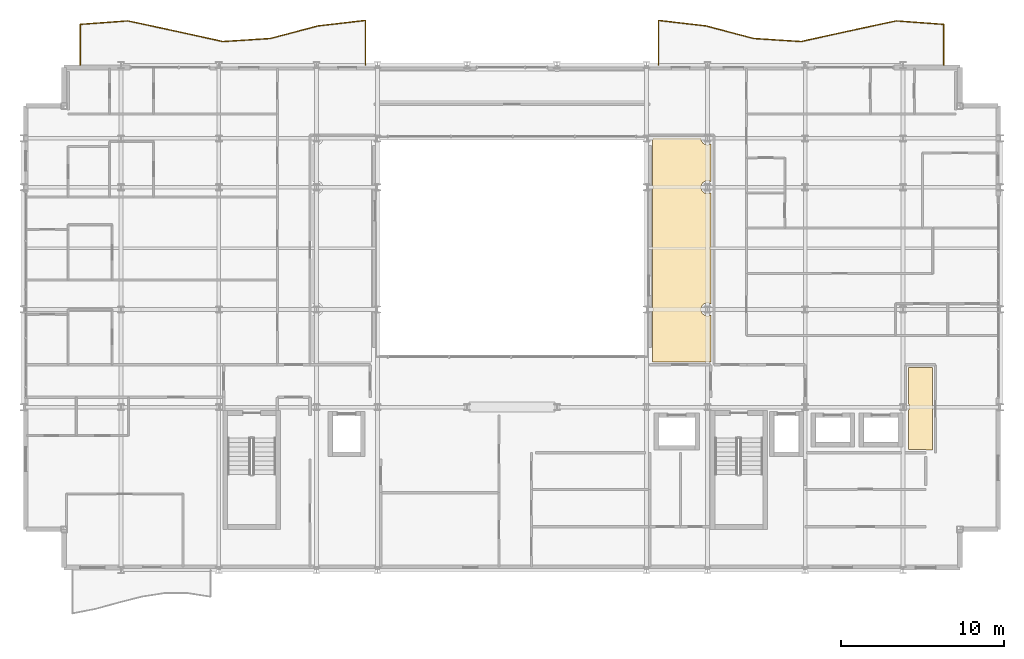
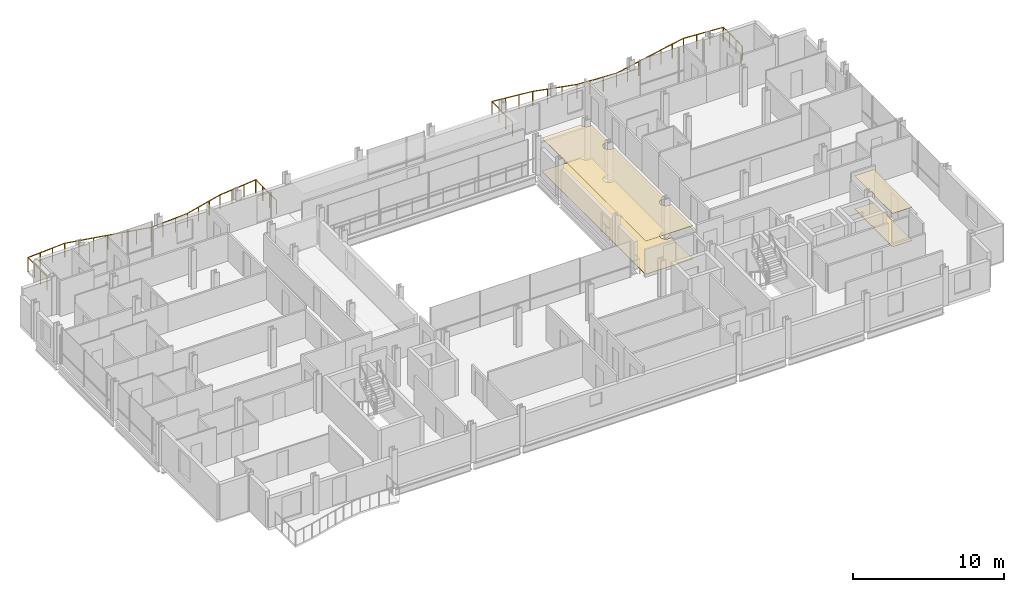
# One storey, part 41 of 41: 4 coverings, 2 railings.
"""IFC4 building model written with IfcOpenShell, lengths in metres."""

from ifc_helpers import new_model, si_unit, direction, frame, origin, origin_2d, place, context, subcontext, project, spatial, polyline, circle, outline, extrude, material, layer, layer_set, type_object, element, save


model = new_model("IFC4")

# Units and contexts
model_context = context("Model", 3, precision=1e-05, world=origin(), true_north=direction((0.0, 1.0)))
body_context = subcontext(model_context, "Body", "Model", "MODEL_VIEW")
ifc_project = project(units=[si_unit("LENGTHUNIT", "METRE"), si_unit("AREAUNIT", "SQUARE_METRE"), si_unit("VOLUMEUNIT", "CUBIC_METRE"), si_unit("PLANEANGLEUNIT", "RADIAN"), si_unit("MASSUNIT", "GRAM", prefix="KILO")], contexts=[model_context])

# Site, building, storey
site_placement = place(None, origin())
site = spatial("IfcSite", under=ifc_project, at=site_placement, CompositionType="ELEMENT")
building_placement = place(site_placement, origin())
building = spatial("IfcBuilding", under=site, at=building_placement, Name="Brevholm Reach", CompositionType="ELEMENT")
storey_placement = place(building_placement, frame((0.0, 0.0, 151.10009765625)))
storey = spatial("IfcBuildingStorey", under=building, at=storey_placement, Name="L45", CompositionType="ELEMENT", Elevation=151.10009765625)

# Coverings
ifc_material_1 = material(Name="Moisture-Resistant Skimmed Gypsum Plasterboard Ceiling", Category="gypsum")
ifc_layer_1 = layer(ifc_material_1, 0.030029296875)
ifc_layer_set_1 = layer_set([ifc_layer_1], Name="Moisture-Resistant Skimmed Gypsum Plasterboard Ceiling")
covering_type_1 = type_object("IfcCoveringType", Name="COV-CLG-GYP", PredefinedType="CEILING", material=ifc_layer_set_1)
covering_1_placement = place(storey_placement, frame((0.0, 0.0, 2.679931640625)))
element("IfcCovering", 1, at=covering_1_placement, inside=storey, type_object=covering_type_1, Name="L45 Suspended Ceiling L45-25", PredefinedType="CEILING", context=body_context, shape_type="SweptSolid", body=[
    extrude(outline(polyline([(54.330078125, 9.7626953125), (54.33056640625, 9.764892578125), (54.33251953125, 9.777587890625), (54.33251953125, 9.77783203125), (54.352783203125, 9.811279296875), (54.36962890625, 9.846923828125), (54.3828125, 9.8837890625), (54.392333984375, 9.922119140625), (54.398193359375, 9.960693359375), (54.39990234375, 10.0), (54.398193359375, 10.039306640625), (54.392333984375, 10.077880859375), (54.3828125, 10.1162109375), (54.36962890625, 10.153076171875), (54.352783203125, 10.188720703125), (54.333984375, 10.219970703125), (54.333984375, 12.419921875), (55.81591796875, 12.419921875), (55.81591796875, 7.3798828125), (55.437255859375, 7.3798828125), (55.43505859375, 7.380615234375), (55.41748046875, 7.383056640625), (55.39990234375, 7.384033203125), (54.330078125, 7.384033203125), (54.330078125, 9.7626953125)])), origin(), (0.0, 0.0, 1.0), 0.030029296875),
])
covering_2_placement = place(storey_placement, frame((0.0, 0.0, 2.679931640625)))
element("IfcCovering", 2, at=covering_2_placement, inside=storey, type_object=covering_type_1, Name="L45 Suspended Ceiling L45-54", PredefinedType="CEILING", context=body_context, shape_type="SweptSolid", body=[
    extrude(outline(polyline([(38.6298828125, 15.876220703125), (38.6328125, 15.8837890625), (38.642333984375, 15.922119140625), (38.648193359375, 15.960693359375), (38.64990234375, 16.0), (38.648193359375, 16.039306640625), (38.642333984375, 16.077880859375), (38.6328125, 16.1162109375), (38.6298828125, 16.123779296875), (38.6298828125, 23.376220703125), (38.6328125, 23.3837890625), (38.642333984375, 23.422119140625), (38.648193359375, 23.460693359375), (38.64990234375, 23.5), (38.648193359375, 23.539306640625), (38.642333984375, 23.577880859375), (38.6328125, 23.6162109375), (38.6298828125, 23.623779296875), (38.6298828125, 26.376220703125), (38.6328125, 26.3837890625), (38.642333984375, 26.422119140625), (38.648193359375, 26.460693359375), (38.64990234375, 26.5), (38.649169921875, 26.51611328125), (41.600830078125, 26.51611328125), (41.60009765625, 26.5), (41.601806640625, 26.460693359375), (41.607666015625, 26.422119140625), (41.6171875, 26.3837890625), (41.63037109375, 26.346923828125), (41.647216796875, 26.311279296875), (41.66748046875, 26.27783203125), (41.69091796875, 26.24609375), (41.71728515625, 26.21728515625), (41.74609375, 26.19091796875), (41.77783203125, 26.16748046875), (41.811279296875, 26.147216796875), (41.846923828125, 26.13037109375), (41.8837890625, 26.1171875), (41.922119140625, 26.107666015625), (41.960693359375, 26.101806640625), (42.0, 26.10009765625), (42.039306640625, 26.101806640625), (42.077880859375, 26.107666015625), (42.1162109375, 26.1171875), (42.153076171875, 26.13037109375), (42.188720703125, 26.147216796875), (42.216064453125, 26.163818359375), (42.216064453125, 23.836181640625), (42.188720703125, 23.852783203125), (42.153076171875, 23.86962890625), (42.1162109375, 23.8828125), (42.077880859375, 23.892333984375), (42.039306640625, 23.898193359375), (42.0, 23.89990234375), (41.960693359375, 23.898193359375), (41.922119140625, 23.892333984375), (41.8837890625, 23.8828125), (41.846923828125, 23.86962890625), (41.811279296875, 23.852783203125), (41.77783203125, 23.83251953125), (41.74609375, 23.80908203125), (41.71728515625, 23.78271484375), (41.69091796875, 23.75390625), (41.66748046875, 23.72216796875), (41.647216796875, 23.688720703125), (41.63037109375, 23.653076171875), (41.6171875, 23.6162109375), (41.607666015625, 23.577880859375), (41.601806640625, 23.539306640625), (41.60009765625, 23.5), (41.601806640625, 23.460693359375), (41.607666015625, 23.422119140625), (41.6171875, 23.3837890625), (41.63037109375, 23.346923828125), (41.647216796875, 23.311279296875), (41.66748046875, 23.27783203125), (41.69091796875, 23.24609375), (41.71728515625, 23.21728515625), (41.74609375, 23.19091796875), (41.77783203125, 23.16748046875), (41.811279296875, 23.147216796875), (41.846923828125, 23.13037109375), (41.8837890625, 23.1171875), (41.922119140625, 23.107666015625), (41.960693359375, 23.101806640625), (42.0, 23.10009765625), (42.039306640625, 23.101806640625), (42.077880859375, 23.107666015625), (42.1162109375, 23.1171875), (42.153076171875, 23.13037109375), (42.188720703125, 23.147216796875), (42.216064453125, 23.163818359375), (42.216064453125, 16.336181640625), (42.188720703125, 16.352783203125), (42.153076171875, 16.36962890625), (42.1162109375, 16.3828125), (42.077880859375, 16.392333984375), (42.039306640625, 16.398193359375), (42.0, 16.39990234375), (41.960693359375, 16.398193359375), (41.922119140625, 16.392333984375), (41.8837890625, 16.3828125), (41.846923828125, 16.36962890625), (41.811279296875, 16.352783203125), (41.77783203125, 16.33251953125), (41.74609375, 16.30908203125), (41.71728515625, 16.28271484375), (41.69091796875, 16.25390625), (41.66748046875, 16.22216796875), (41.647216796875, 16.188720703125), (41.63037109375, 16.153076171875), (41.6171875, 16.1162109375), (41.607666015625, 16.077880859375), (41.601806640625, 16.039306640625), (41.60009765625, 16.0), (41.601806640625, 15.960693359375), (41.607666015625, 15.922119140625), (41.6171875, 15.8837890625), (41.63037109375, 15.846923828125), (41.647216796875, 15.811279296875), (41.66748046875, 15.77783203125), (41.69091796875, 15.74609375), (41.71728515625, 15.71728515625), (41.74609375, 15.69091796875), (41.77783203125, 15.66748046875), (41.811279296875, 15.647216796875), (41.846923828125, 15.63037109375), (41.8837890625, 15.6171875), (41.922119140625, 15.607666015625), (41.960693359375, 15.601806640625), (42.0, 15.60009765625), (42.039306640625, 15.601806640625), (42.077880859375, 15.607666015625), (42.1162109375, 15.6171875), (42.153076171875, 15.63037109375), (42.188720703125, 15.647216796875), (42.216064453125, 15.663818359375), (42.216064453125, 12.783935546875), (38.6298828125, 12.783935546875), (38.6298828125, 15.876220703125)])), origin(), (0.0, 0.0, 1.0), 0.030029296875),
])
ifc_material_2 = material(Name="Honed Portland-Aggregate Resin Terrazzo Flooring", Category="concrete")
ifc_layer_2 = layer(ifc_material_2, 0.031982421875)
ifc_layer_set_2 = layer_set([ifc_layer_2], Name="Honed Portland-Aggregate Resin Terrazzo Flooring")
covering_type_2 = type_object("IfcCoveringType", Name="COV-FLR-TRZ", PredefinedType="FLOORING", material=ifc_layer_set_2)
covering_3_placement = place(storey_placement, origin())
element("IfcCovering", 3, at=covering_3_placement, inside=storey, type_object=covering_type_2, Name="L45 Floor Finish L45-25", PredefinedType="FLOORING", context=body_context, shape_type="SweptSolid", body=[
    extrude(outline(polyline([(54.330078125, 9.7626953125), (54.33056640625, 9.764892578125), (54.33251953125, 9.777587890625), (54.33251953125, 9.77783203125), (54.352783203125, 9.811279296875), (54.36962890625, 9.846923828125), (54.3828125, 9.8837890625), (54.392333984375, 9.922119140625), (54.398193359375, 9.960693359375), (54.39990234375, 10.0), (54.398193359375, 10.039306640625), (54.392333984375, 10.077880859375), (54.3828125, 10.1162109375), (54.36962890625, 10.153076171875), (54.352783203125, 10.188720703125), (54.333984375, 10.219970703125), (54.333984375, 12.419921875), (55.81591796875, 12.419921875), (55.81591796875, 7.3798828125), (55.437255859375, 7.3798828125), (55.43505859375, 7.380615234375), (55.41748046875, 7.383056640625), (55.39990234375, 7.384033203125), (54.330078125, 7.384033203125), (54.330078125, 9.7626953125)])), origin(), (0.0, 0.0, 1.0), 0.031982421875),
])
covering_4_placement = place(storey_placement, origin())
element("IfcCovering", 4, at=covering_4_placement, inside=storey, type_object=covering_type_2, Name="L45 Floor Finish L45-54", PredefinedType="FLOORING", context=body_context, shape_type="SweptSolid", body=[
    extrude(outline(polyline([(38.6298828125, 15.876220703125), (38.6328125, 15.8837890625), (38.642333984375, 15.922119140625), (38.648193359375, 15.960693359375), (38.64990234375, 16.0), (38.648193359375, 16.039306640625), (38.642333984375, 16.077880859375), (38.6328125, 16.1162109375), (38.6298828125, 16.123779296875), (38.6298828125, 23.376220703125), (38.6328125, 23.3837890625), (38.642333984375, 23.422119140625), (38.648193359375, 23.460693359375), (38.64990234375, 23.5), (38.648193359375, 23.539306640625), (38.642333984375, 23.577880859375), (38.6328125, 23.6162109375), (38.6298828125, 23.623779296875), (38.6298828125, 26.376220703125), (38.6328125, 26.3837890625), (38.642333984375, 26.422119140625), (38.648193359375, 26.460693359375), (38.64990234375, 26.5), (38.649169921875, 26.51611328125), (41.600830078125, 26.51611328125), (41.60009765625, 26.5), (41.601806640625, 26.460693359375), (41.607666015625, 26.422119140625), (41.6171875, 26.3837890625), (41.63037109375, 26.346923828125), (41.647216796875, 26.311279296875), (41.66748046875, 26.27783203125), (41.69091796875, 26.24609375), (41.71728515625, 26.21728515625), (41.74609375, 26.19091796875), (41.77783203125, 26.16748046875), (41.811279296875, 26.147216796875), (41.846923828125, 26.13037109375), (41.8837890625, 26.1171875), (41.922119140625, 26.107666015625), (41.960693359375, 26.101806640625), (42.0, 26.10009765625), (42.039306640625, 26.101806640625), (42.077880859375, 26.107666015625), (42.1162109375, 26.1171875), (42.153076171875, 26.13037109375), (42.188720703125, 26.147216796875), (42.216064453125, 26.163818359375), (42.216064453125, 23.836181640625), (42.188720703125, 23.852783203125), (42.153076171875, 23.86962890625), (42.1162109375, 23.8828125), (42.077880859375, 23.892333984375), (42.039306640625, 23.898193359375), (42.0, 23.89990234375), (41.960693359375, 23.898193359375), (41.922119140625, 23.892333984375), (41.8837890625, 23.8828125), (41.846923828125, 23.86962890625), (41.811279296875, 23.852783203125), (41.77783203125, 23.83251953125), (41.74609375, 23.80908203125), (41.71728515625, 23.78271484375), (41.69091796875, 23.75390625), (41.66748046875, 23.72216796875), (41.647216796875, 23.688720703125), (41.63037109375, 23.653076171875), (41.6171875, 23.6162109375), (41.607666015625, 23.577880859375), (41.601806640625, 23.539306640625), (41.60009765625, 23.5), (41.601806640625, 23.460693359375), (41.607666015625, 23.422119140625), (41.6171875, 23.3837890625), (41.63037109375, 23.346923828125), (41.647216796875, 23.311279296875), (41.66748046875, 23.27783203125), (41.69091796875, 23.24609375), (41.71728515625, 23.21728515625), (41.74609375, 23.19091796875), (41.77783203125, 23.16748046875), (41.811279296875, 23.147216796875), (41.846923828125, 23.13037109375), (41.8837890625, 23.1171875), (41.922119140625, 23.107666015625), (41.960693359375, 23.101806640625), (42.0, 23.10009765625), (42.039306640625, 23.101806640625), (42.077880859375, 23.107666015625), (42.1162109375, 23.1171875), (42.153076171875, 23.13037109375), (42.188720703125, 23.147216796875), (42.216064453125, 23.163818359375), (42.216064453125, 16.336181640625), (42.188720703125, 16.352783203125), (42.153076171875, 16.36962890625), (42.1162109375, 16.3828125), (42.077880859375, 16.392333984375), (42.039306640625, 16.398193359375), (42.0, 16.39990234375), (41.960693359375, 16.398193359375), (41.922119140625, 16.392333984375), (41.8837890625, 16.3828125), (41.846923828125, 16.36962890625), (41.811279296875, 16.352783203125), (41.77783203125, 16.33251953125), (41.74609375, 16.30908203125), (41.71728515625, 16.28271484375), (41.69091796875, 16.25390625), (41.66748046875, 16.22216796875), (41.647216796875, 16.188720703125), (41.63037109375, 16.153076171875), (41.6171875, 16.1162109375), (41.607666015625, 16.077880859375), (41.601806640625, 16.039306640625), (41.60009765625, 16.0), (41.601806640625, 15.960693359375), (41.607666015625, 15.922119140625), (41.6171875, 15.8837890625), (41.63037109375, 15.846923828125), (41.647216796875, 15.811279296875), (41.66748046875, 15.77783203125), (41.69091796875, 15.74609375), (41.71728515625, 15.71728515625), (41.74609375, 15.69091796875), (41.77783203125, 15.66748046875), (41.811279296875, 15.647216796875), (41.846923828125, 15.63037109375), (41.8837890625, 15.6171875), (41.922119140625, 15.607666015625), (41.960693359375, 15.601806640625), (42.0, 15.60009765625), (42.039306640625, 15.601806640625), (42.077880859375, 15.607666015625), (42.1162109375, 15.6171875), (42.153076171875, 15.63037109375), (42.188720703125, 15.647216796875), (42.216064453125, 15.663818359375), (42.216064453125, 12.783935546875), (38.6298828125, 12.783935546875), (38.6298828125, 15.876220703125)])), origin(), (0.0, 0.0, 1.0), 0.031982421875),
])

# Railings
ifc_material_3 = material(Name="Brushed Stainless Steel EN 1.4401 and Laminated Glass", Category="steel")
railing_type = type_object("IfcRailingType", Name="RAL-BALC-1150", PredefinedType="BALUSTRADE", material=ifc_material_3)
railing_1_placement = place(storey_placement, frame((56.5, 31.0, 0.0)))
element("IfcRailing", 5, at=railing_1_placement, inside=storey, type_object=railing_type, Name="L45 Guard Balustrade RAL-L45-BAL-NE", PredefinedType="BALUSTRADE", context=body_context, shape_type="SweptSolid", body=[
    extrude(circle(Radius=0.02392578125, at=origin_2d()), frame((0.0, 0.0, 1.1259765625), z_axis=(0.0, 1.0, 0.0), x_axis=(-1.0, 0.0, 0.0)), (0.0, 0.0, 1.0), 2.499755859375),
    extrude(circle(Radius=0.02392578125, at=origin_2d()), frame((0.0, 2.499755859375, 1.1259765625), z_axis=(-0.997334760815, 0.072961461535, 0.0), x_axis=(-0.072961461535, -0.997334760815, 0.0)), (0.0, 0.0, 1.0), 2.924560546875),
    extrude(circle(Radius=0.02392578125, at=origin_2d()), frame((-2.916748046875, 2.713134765625, 1.1259765625), z_axis=(-0.977716094956, -0.209931507079, 0.0), x_axis=(0.209931507079, -0.977716094956, 0.0)), (0.0, 0.0, 1.0), 2.98291015625),
    extrude(circle(Radius=0.02392578125, at=origin_2d()), frame((-5.833251953125, 2.0869140625, 1.1259765625), z_axis=(-0.976615982801, -0.214991214093, 0.0), x_axis=(0.214991214093, -0.976615982801, 0.0)), (0.0, 0.0, 1.0), 2.986572265625),
    extrude(circle(Radius=0.02392578125, at=origin_2d()), frame((-8.75, 1.44482421875, 1.1259765625), z_axis=(-0.997945514781, 0.06406831923, 0.0), x_axis=(-0.06406831923, -0.997945514781, 0.0)), (0.0, 0.0, 1.0), 2.9228515625),
    extrude(circle(Radius=0.02392578125, at=origin_2d()), frame((-11.666748046875, 1.632080078125, 1.1259765625), z_axis=(-0.966868735292, 0.255274065889, 0.0), x_axis=(-0.255274065889, -0.966868735292, 0.0)), (0.0, 0.0, 1.0), 3.016357421875),
    extrude(circle(Radius=0.02392578125, at=origin_2d()), frame((-14.583251953125, 2.402099609375, 1.1259765625), z_axis=(-0.99329006652, 0.11564965954, 0.0), x_axis=(-0.11564965954, -0.99329006652, 0.0)), (0.0, 0.0, 1.0), 2.9365234375),
    extrude(circle(Radius=0.02392578125, at=origin_2d()), frame((-17.5, 2.74169921875, 1.1259765625), z_axis=(0.0, -1.0, 0.0), x_axis=(1.0, 0.0, 0.0)), (0.0, 0.0, 1.0), 2.74169921875),
    extrude(circle(Radius=0.02099609375, at=origin_2d()), origin(), (0.0, 0.0, 1.0), 1.101806640625),
    extrude(circle(Radius=0.02099609375, at=origin_2d()), frame((0.0, 0.833251953125, 0.0)), (0.0, 0.0, 1.0), 1.101806640625),
    extrude(circle(Radius=0.02099609375, at=origin_2d()), frame((0.0, 1.66650390625, 0.0)), (0.0, 0.0, 1.0), 1.101806640625),
    extrude(circle(Radius=0.02099609375, at=origin_2d()), frame((0.0, 2.499755859375, 0.0)), (0.0, 0.0, 1.0), 1.101806640625),
    extrude(circle(Radius=0.02099609375, at=origin_2d()), frame((-0.97216796875, 2.57080078125, 0.0)), (0.0, 0.0, 1.0), 1.101806640625),
    extrude(circle(Radius=0.02099609375, at=origin_2d()), frame((-1.944580078125, 2.64208984375, 0.0)), (0.0, 0.0, 1.0), 1.101806640625),
    extrude(circle(Radius=0.02099609375, at=origin_2d()), frame((-2.916748046875, 2.713134765625, 0.0)), (0.0, 0.0, 1.0), 1.101806640625),
    extrude(circle(Radius=0.02099609375, at=origin_2d()), frame((-3.888916015625, 2.50439453125, 0.0)), (0.0, 0.0, 1.0), 1.101806640625),
    extrude(circle(Radius=0.02099609375, at=origin_2d()), frame((-4.861083984375, 2.295654296875, 0.0)), (0.0, 0.0, 1.0), 1.101806640625),
    extrude(circle(Radius=0.02099609375, at=origin_2d()), frame((-5.833251953125, 2.0869140625, 0.0)), (0.0, 0.0, 1.0), 1.101806640625),
    extrude(circle(Radius=0.02099609375, at=origin_2d()), frame((-6.805419921875, 1.872802734375, 0.0)), (0.0, 0.0, 1.0), 1.101806640625),
    extrude(circle(Radius=0.02099609375, at=origin_2d()), frame((-7.77783203125, 1.658935546875, 0.0)), (0.0, 0.0, 1.0), 1.101806640625),
    extrude(circle(Radius=0.02099609375, at=origin_2d()), frame((-8.75, 1.44482421875, 0.0)), (0.0, 0.0, 1.0), 1.101806640625),
    extrude(circle(Radius=0.02099609375, at=origin_2d()), frame((-9.72216796875, 1.50732421875, 0.0)), (0.0, 0.0, 1.0), 1.101806640625),
    extrude(circle(Radius=0.02099609375, at=origin_2d()), frame((-10.694580078125, 1.569580078125, 0.0)), (0.0, 0.0, 1.0), 1.101806640625),
    extrude(circle(Radius=0.02099609375, at=origin_2d()), frame((-11.666748046875, 1.632080078125, 0.0)), (0.0, 0.0, 1.0), 1.101806640625),
    extrude(circle(Radius=0.02099609375, at=origin_2d()), frame((-12.638916015625, 1.888671875, 0.0)), (0.0, 0.0, 1.0), 1.101806640625),
    extrude(circle(Radius=0.02099609375, at=origin_2d()), frame((-13.611083984375, 2.1455078125, 0.0)), (0.0, 0.0, 1.0), 1.101806640625),
    extrude(circle(Radius=0.02099609375, at=origin_2d()), frame((-14.583251953125, 2.402099609375, 0.0)), (0.0, 0.0, 1.0), 1.101806640625),
    extrude(circle(Radius=0.02099609375, at=origin_2d()), frame((-15.555419921875, 2.515380859375, 0.0)), (0.0, 0.0, 1.0), 1.101806640625),
    extrude(circle(Radius=0.02099609375, at=origin_2d()), frame((-16.52783203125, 2.62841796875, 0.0)), (0.0, 0.0, 1.0), 1.101806640625),
    extrude(circle(Radius=0.02099609375, at=origin_2d()), frame((-17.5, 2.74169921875, 0.0)), (0.0, 0.0, 1.0), 1.101806640625),
    extrude(circle(Radius=0.02099609375, at=origin_2d()), frame((-17.5, 1.827880859375, 0.0)), (0.0, 0.0, 1.0), 1.101806640625),
    extrude(circle(Radius=0.02099609375, at=origin_2d()), frame((-17.5, 0.913818359375, 0.0)), (0.0, 0.0, 1.0), 1.101806640625),
    extrude(circle(Radius=0.02099609375, at=origin_2d()), frame((-17.5, 0.0, 0.0)), (0.0, 0.0, 1.0), 1.101806640625),
])
railing_2_placement = place(storey_placement, frame((21.0, 31.0, 0.0)))
element("IfcRailing", 6, at=railing_2_placement, inside=storey, type_object=railing_type, Name="L45 Guard Balustrade RAL-L45-BAL-NW", PredefinedType="BALUSTRADE", context=body_context, shape_type="SweptSolid", body=[
    extrude(circle(Radius=0.02392578125, at=origin_2d()), frame((0.0, 0.0, 1.1259765625), z_axis=(0.0, 1.0, 0.0), x_axis=(-1.0, 0.0, 0.0)), (0.0, 0.0, 1.0), 2.74169921875),
    extrude(circle(Radius=0.02392578125, at=origin_2d()), frame((0.0, 2.74169921875, 1.1259765625), z_axis=(-0.99329006652, -0.11564965954, 0.0), x_axis=(0.11564965954, -0.99329006652, 0.0)), (0.0, 0.0, 1.0), 2.9365234375),
    extrude(circle(Radius=0.02392578125, at=origin_2d()), frame((-2.916748046875, 2.402099609375, 1.1259765625), z_axis=(-0.966868735292, -0.255274065889, 0.0), x_axis=(0.255274065889, -0.966868735292, 0.0)), (0.0, 0.0, 1.0), 3.016357421875),
    extrude(circle(Radius=0.02392578125, at=origin_2d()), frame((-5.833251953125, 1.632080078125, 1.1259765625), z_axis=(-0.997945514781, -0.06406831923, 0.0), x_axis=(0.06406831923, -0.997945514781, 0.0)), (0.0, 0.0, 1.0), 2.9228515625),
    extrude(circle(Radius=0.02392578125, at=origin_2d()), frame((-8.75, 1.44482421875, 1.1259765625), z_axis=(-0.976615982801, 0.214991214093, 0.0), x_axis=(-0.214991214093, -0.976615982801, 0.0)), (0.0, 0.0, 1.0), 2.986572265625),
    extrude(circle(Radius=0.02392578125, at=origin_2d()), frame((-11.666748046875, 2.0869140625, 1.1259765625), z_axis=(-0.977716094956, 0.209931507079, 0.0), x_axis=(-0.209931507079, -0.977716094956, 0.0)), (0.0, 0.0, 1.0), 2.98291015625),
    extrude(circle(Radius=0.02392578125, at=origin_2d()), frame((-14.583251953125, 2.713134765625, 1.1259765625), z_axis=(-0.997334760815, -0.072961461535, 0.0), x_axis=(0.072961461535, -0.997334760815, 0.0)), (0.0, 0.0, 1.0), 2.924560546875),
    extrude(circle(Radius=0.02392578125, at=origin_2d()), frame((-17.5, 2.499755859375, 1.1259765625), z_axis=(0.0, -1.0, 0.0), x_axis=(1.0, 0.0, 0.0)), (0.0, 0.0, 1.0), 2.499755859375),
    extrude(circle(Radius=0.02099609375, at=origin_2d()), origin(), (0.0, 0.0, 1.0), 1.101806640625),
    extrude(circle(Radius=0.02099609375, at=origin_2d()), frame((0.0, 0.913818359375, 0.0)), (0.0, 0.0, 1.0), 1.101806640625),
    extrude(circle(Radius=0.02099609375, at=origin_2d()), frame((0.0, 1.827880859375, 0.0)), (0.0, 0.0, 1.0), 1.101806640625),
    extrude(circle(Radius=0.02099609375, at=origin_2d()), frame((0.0, 2.74169921875, 0.0)), (0.0, 0.0, 1.0), 1.101806640625),
    extrude(circle(Radius=0.02099609375, at=origin_2d()), frame((-0.97216796875, 2.62841796875, 0.0)), (0.0, 0.0, 1.0), 1.101806640625),
    extrude(circle(Radius=0.02099609375, at=origin_2d()), frame((-1.944580078125, 2.515380859375, 0.0)), (0.0, 0.0, 1.0), 1.101806640625),
    extrude(circle(Radius=0.02099609375, at=origin_2d()), frame((-2.916748046875, 2.402099609375, 0.0)), (0.0, 0.0, 1.0), 1.101806640625),
    extrude(circle(Radius=0.02099609375, at=origin_2d()), frame((-3.888916015625, 2.1455078125, 0.0)), (0.0, 0.0, 1.0), 1.101806640625),
    extrude(circle(Radius=0.02099609375, at=origin_2d()), frame((-4.861083984375, 1.888671875, 0.0)), (0.0, 0.0, 1.0), 1.101806640625),
    extrude(circle(Radius=0.02099609375, at=origin_2d()), frame((-5.833251953125, 1.632080078125, 0.0)), (0.0, 0.0, 1.0), 1.101806640625),
    extrude(circle(Radius=0.02099609375, at=origin_2d()), frame((-6.805419921875, 1.569580078125, 0.0)), (0.0, 0.0, 1.0), 1.101806640625),
    extrude(circle(Radius=0.02099609375, at=origin_2d()), frame((-7.77783203125, 1.50732421875, 0.0)), (0.0, 0.0, 1.0), 1.101806640625),
    extrude(circle(Radius=0.02099609375, at=origin_2d()), frame((-8.75, 1.44482421875, 0.0)), (0.0, 0.0, 1.0), 1.101806640625),
    extrude(circle(Radius=0.02099609375, at=origin_2d()), frame((-9.72216796875, 1.658935546875, 0.0)), (0.0, 0.0, 1.0), 1.101806640625),
    extrude(circle(Radius=0.02099609375, at=origin_2d()), frame((-10.694580078125, 1.872802734375, 0.0)), (0.0, 0.0, 1.0), 1.101806640625),
    extrude(circle(Radius=0.02099609375, at=origin_2d()), frame((-11.666748046875, 2.0869140625, 0.0)), (0.0, 0.0, 1.0), 1.101806640625),
    extrude(circle(Radius=0.02099609375, at=origin_2d()), frame((-12.638916015625, 2.295654296875, 0.0)), (0.0, 0.0, 1.0), 1.101806640625),
    extrude(circle(Radius=0.02099609375, at=origin_2d()), frame((-13.611083984375, 2.50439453125, 0.0)), (0.0, 0.0, 1.0), 1.101806640625),
    extrude(circle(Radius=0.02099609375, at=origin_2d()), frame((-14.583251953125, 2.713134765625, 0.0)), (0.0, 0.0, 1.0), 1.101806640625),
    extrude(circle(Radius=0.02099609375, at=origin_2d()), frame((-15.555419921875, 2.64208984375, 0.0)), (0.0, 0.0, 1.0), 1.101806640625),
    extrude(circle(Radius=0.02099609375, at=origin_2d()), frame((-16.52783203125, 2.57080078125, 0.0)), (0.0, 0.0, 1.0), 1.101806640625),
    extrude(circle(Radius=0.02099609375, at=origin_2d()), frame((-17.5, 2.499755859375, 0.0)), (0.0, 0.0, 1.0), 1.101806640625),
    extrude(circle(Radius=0.02099609375, at=origin_2d()), frame((-17.5, 1.66650390625, 0.0)), (0.0, 0.0, 1.0), 1.101806640625),
    extrude(circle(Radius=0.02099609375, at=origin_2d()), frame((-17.5, 0.833251953125, 0.0)), (0.0, 0.0, 1.0), 1.101806640625),
    extrude(circle(Radius=0.02099609375, at=origin_2d()), frame((-17.5, 0.0, 0.0)), (0.0, 0.0, 1.0), 1.101806640625),
])

save(model, "model.ifc")
